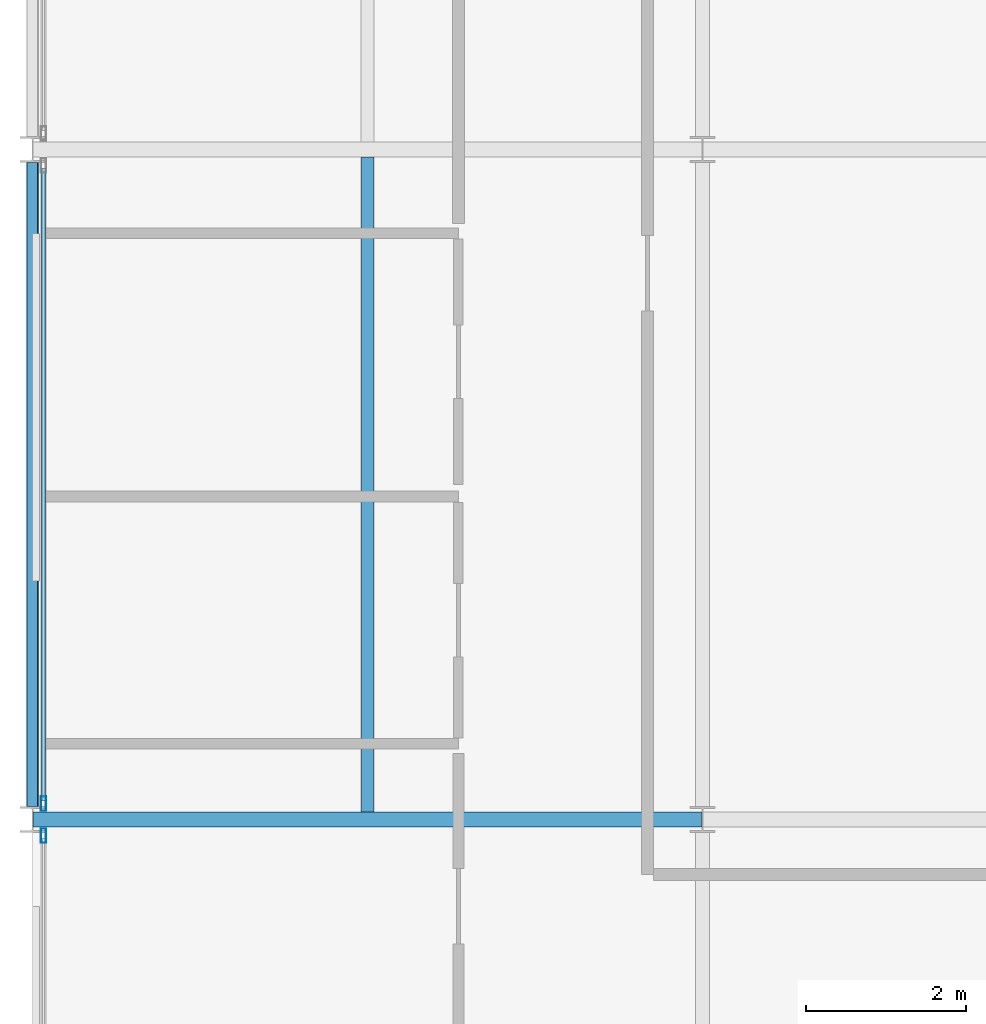
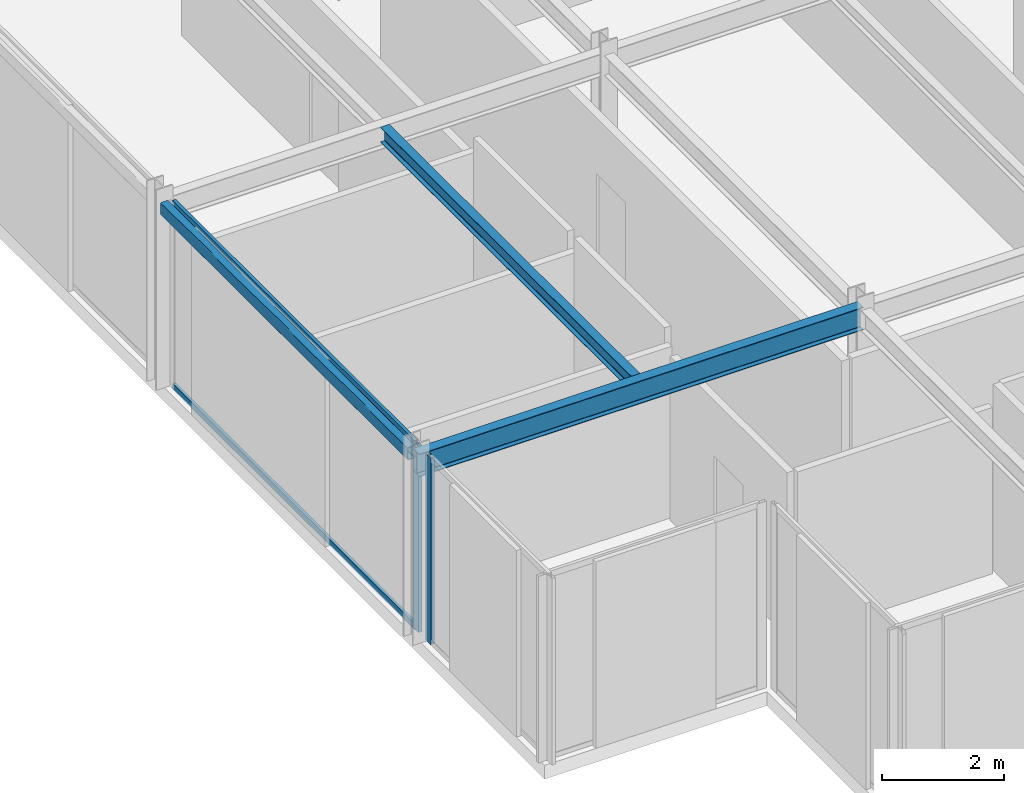
# One storey, part 5 of 26: 4 members, 3 beams, 2 elements without a shape of their own.
"""IFC4 building model written with IfcOpenShell, lengths in metres."""

from ifc_helpers import new_model, si_unit, direction, frame, origin, origin_2d, place, context, subcontext, project, spatial, hollow_rectangle, i_section, extrude, material, layer, layer_set, material_profile, profile_set, type_object, element, aggregate, save


model = new_model("IFC4")

# Units and contexts
model_context = context("Model", 3, precision=1e-05, world=origin(), true_north=direction((0.0, 1.0)))
body_context = subcontext(model_context, "Body", "Model", "MODEL_VIEW")
ifc_project = project(units=[si_unit("LENGTHUNIT", "METRE"), si_unit("AREAUNIT", "SQUARE_METRE"), si_unit("VOLUMEUNIT", "CUBIC_METRE"), si_unit("PLANEANGLEUNIT", "RADIAN"), si_unit("MASSUNIT", "GRAM", prefix="KILO")], contexts=[model_context])

# Site, building, storey
site_placement = place(None, origin())
site = spatial("IfcSite", under=ifc_project, at=site_placement, CompositionType="ELEMENT")
building_placement = place(site_placement, origin())
building = spatial("IfcBuilding", under=site, at=building_placement, Name="Nerrivon Quay Data Exchange", CompositionType="ELEMENT")
storey_placement = place(building_placement, frame((0.0, 0.0, 274.199951171875)))
storey = spatial("IfcBuildingStorey", under=building, at=storey_placement, Name="L65", CompositionType="ELEMENT", Elevation=274.199951171875)

# Beams
ifc_material_1 = material(Name="Steel Grade 350", Category="steel")
ifc_material_profile_1 = material_profile(ifc_material_1, i_section(OverallWidth=0.18994140625, OverallDepth=0.4541015625, WebThickness=0.008544921875, FlangeThickness=0.0126953125, FilletRadius=0.011474609375, at=origin_2d()), Name="460UB67.1")
ifc_profile_set_1 = profile_set([ifc_material_profile_1], Name="Steel Grade 350")
beam_type_1 = type_object("IfcBeamType", Name="BM-G6-460UB67", PredefinedType="BEAM", material=ifc_profile_set_1)
beam_1_placement = place(storey_placement, frame((0.0078125, 8.39990234375, 3.498046875), z_axis=(1.0, 0.0, 0.0), x_axis=(0.0, 1.0, 0.0)))
element("IfcBeam", 1, at=beam_1_placement, inside=storey, type_object=beam_type_1, Name="L65 EW Girder Y=8.4 (0.0..8.4)", PredefinedType="BEAM", context=body_context, shape_type="SweptSolid", body=[
    extrude(i_section(OverallWidth=0.18994140625, OverallDepth=0.4541015625, WebThickness=0.008544921875, FlangeThickness=0.0126953125, FilletRadius=0.011474609375, at=origin_2d()), origin(), (0.0, 0.0, 1.0), 8.38427734375),
])
ifc_material_profile_2 = material_profile(ifc_material_1, i_section(OverallWidth=0.1650390625, OverallDepth=0.303955078125, WebThickness=0.006103515625, FlangeThickness=0.01025390625, FilletRadius=0.011474609375, at=origin_2d()), Name="310UB40.4")
ifc_profile_set_2 = profile_set([ifc_material_profile_2], Name="Steel Grade 350")
beam_type_2 = type_object("IfcBeamType", Name="BM-J6-310UB40", PredefinedType="JOIST", material=ifc_profile_set_2)
beam_2_placement = place(storey_placement, frame((4.199951171875, 8.4951171875, 3.572998046875), z_axis=(0.0, 1.0, 0.0), x_axis=(-1.0, 0.0, 0.0)))
element("IfcBeam", 2, at=beam_2_placement, inside=storey, type_object=beam_type_2, Name="L65 Secondary Joist X=4.2 (8.4..16.8)", PredefinedType="JOIST", context=body_context, shape_type="SweptSolid", body=[
    extrude(i_section(OverallWidth=0.1650390625, OverallDepth=0.303955078125, WebThickness=0.006103515625, FlangeThickness=0.01025390625, FilletRadius=0.011474609375, at=origin_2d()), origin(), (0.0, 0.0, 1.0), 8.2099609375),
])
ifc_material_2 = material(Name="Steel Grade C350L0 (350 MPa)", Category="steel")
ifc_material_profile_3 = material_profile(ifc_material_2, hollow_rectangle(XDim=0.14990234375, YDim=0.25, WallThickness=0.009033203125, InnerFilletRadius=0.013427734375, OuterFilletRadius=0.0224609375, at=origin_2d()), Name="250x150x9.0RHS")
ifc_profile_set_3 = profile_set([ifc_material_profile_3], Name="Steel Grade C350L0 (350 MPa)")
beam_type_3 = type_object("IfcBeamType", Name="BM-SP4-250x150RHS", PredefinedType="SPANDREL", material=ifc_profile_set_3)
beam_3_placement = place(storey_placement, frame((0.0, 8.5634765625, 3.60009765625), z_axis=(0.0, 1.0, 0.0), x_axis=(-1.0, 0.0, 0.0)))
element("IfcBeam", 3, at=beam_3_placement, inside=storey, type_object=beam_type_3, Name="L65 NS Girder X=0.0 (8.4..16.8)", PredefinedType="SPANDREL", context=body_context, shape_type="SweptSolid", body=[
    extrude(hollow_rectangle(XDim=0.14990234375, YDim=0.25, WallThickness=0.009033203125, InnerFilletRadius=0.013427734375, OuterFilletRadius=0.0224609375, at=origin_2d()), origin(), (0.0, 0.0, 1.0), 8.072998046875),
])

# Curtain wall, member
ifc_material_3 = material(Name="Anodised aluminium 6063-T6", Category="aluminium")
ifc_layer = layer(ifc_material_3, 0.195068359375)
ifc_layer_set = layer_set([ifc_layer], Name="Anodised aluminium 6063-T6")
curtain_wall_type = type_object("IfcCurtainWallType", Name="CW-SYS-06", PredefinedType="NOTDEFINED", material=ifc_layer_set)
curtain_wall_1_placement = place(storey_placement, origin())
curtain_wall_1 = element("IfcCurtainWall", 4, at=curtain_wall_1_placement, inside=storey, type_object=curtain_wall_type, Name="L65 Unitised Curtain Wall 11", PredefinedType="NOTDEFINED")
ifc_material_profile_4 = material_profile(ifc_material_3, hollow_rectangle(XDim=0.06494140625, YDim=0.179931640625, WallThickness=0.00341796875, at=origin_2d()), Name="ALU-MULL-180x65")
ifc_profile_set_4 = profile_set([ifc_material_profile_4], Name="Anodised aluminium 6063-T6")
member_type_1 = type_object("IfcMemberType", Name="CWM-180x65", PredefinedType="MULLION", material=ifc_profile_set_4)
member_1_placement = place(storey_placement, frame((0.139892578125, 8.198974609375, 0.0), z_axis=(0.0, 0.0, 1.0), x_axis=(-1.0, 0.0, 0.0)))
member_1 = element("IfcMember", 5, at=member_1_placement, type_object=member_type_1, Name="CW06 mullion 2", PredefinedType="MULLION", context=body_context, shape_type="SweptSolid", body=[
    extrude(hollow_rectangle(XDim=0.06494140625, YDim=0.179931640625, WallThickness=0.00341796875, at=origin_2d()), origin(), (0.0, 0.0, 1.0), 3.72509765625),
])
aggregate(curtain_wall_1, [member_1])

# Curtain wall, members
curtain_wall_2_placement = place(storey_placement, origin())
curtain_wall_2 = element("IfcCurtainWall", 6, at=curtain_wall_2_placement, inside=storey, type_object=curtain_wall_type, Name="L65 Unitised Curtain Wall 12", PredefinedType="NOTDEFINED")
member_2_placement = place(storey_placement, frame((0.139892578125, 8.60107421875, 0.0), z_axis=(0.0, 0.0, 1.0), x_axis=(-1.0, 0.0, 0.0)))
member_2 = element("IfcMember", 7, at=member_2_placement, type_object=member_type_1, Name="CW06 mullion 1", PredefinedType="MULLION", context=body_context, shape_type="SweptSolid", body=[
    extrude(hollow_rectangle(XDim=0.06494140625, YDim=0.179931640625, WallThickness=0.00341796875, at=origin_2d()), origin(), (0.0, 0.0, 1.0), 3.72509765625),
])
ifc_material_profile_5 = material_profile(ifc_material_3, hollow_rectangle(XDim=0.06005859375, YDim=0.1201171875, WallThickness=0.003173828125, at=origin_2d()), Name="ALU-TRAN-120x60")
ifc_profile_set_5 = profile_set([ifc_material_profile_5], Name="Anodised aluminium 6063-T6")
member_type_2 = type_object("IfcMemberType", Name="CWT-120x60", PredefinedType="USERDEFINED", material=ifc_profile_set_5)
member_3_placement = place(storey_placement, frame((0.139892578125, 8.638427734375, 0.032470703125), z_axis=(0.0, 1.0, 0.0), x_axis=(-1.0, 0.0, 0.0)))
member_3 = element("IfcMember", 8, at=member_3_placement, type_object=member_type_2, Name="CW06 transom 1.1", ObjectType="TRANSOM", PredefinedType="USERDEFINED", context=body_context, shape_type="SweptSolid", body=[
    extrude(hollow_rectangle(XDim=0.06005859375, YDim=0.1201171875, WallThickness=0.003173828125, at=origin_2d()), origin(), (0.0, 0.0, 1.0), 7.923095703125),
])
member_4_placement = place(storey_placement, frame((0.139892578125, 8.638427734375, 3.692626953125), z_axis=(0.0, 1.0, 0.0), x_axis=(-1.0, 0.0, 0.0)))
member_4 = element("IfcMember", 9, at=member_4_placement, type_object=member_type_2, Name="CW06 transom 1.2", ObjectType="TRANSOM", PredefinedType="USERDEFINED", context=body_context, shape_type="SweptSolid", body=[
    extrude(hollow_rectangle(XDim=0.06005859375, YDim=0.1201171875, WallThickness=0.003173828125, at=origin_2d()), origin(), (0.0, 0.0, 1.0), 7.923095703125),
])
aggregate(curtain_wall_2, [member_2, member_3, member_4])

save(model, "model.ifc")
